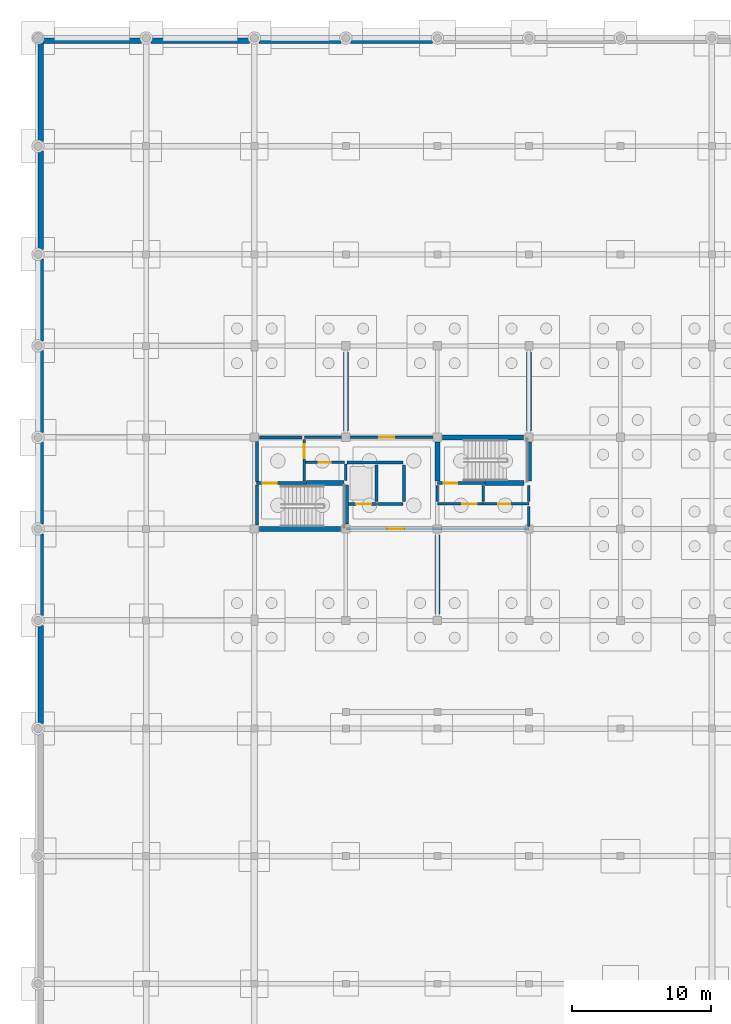
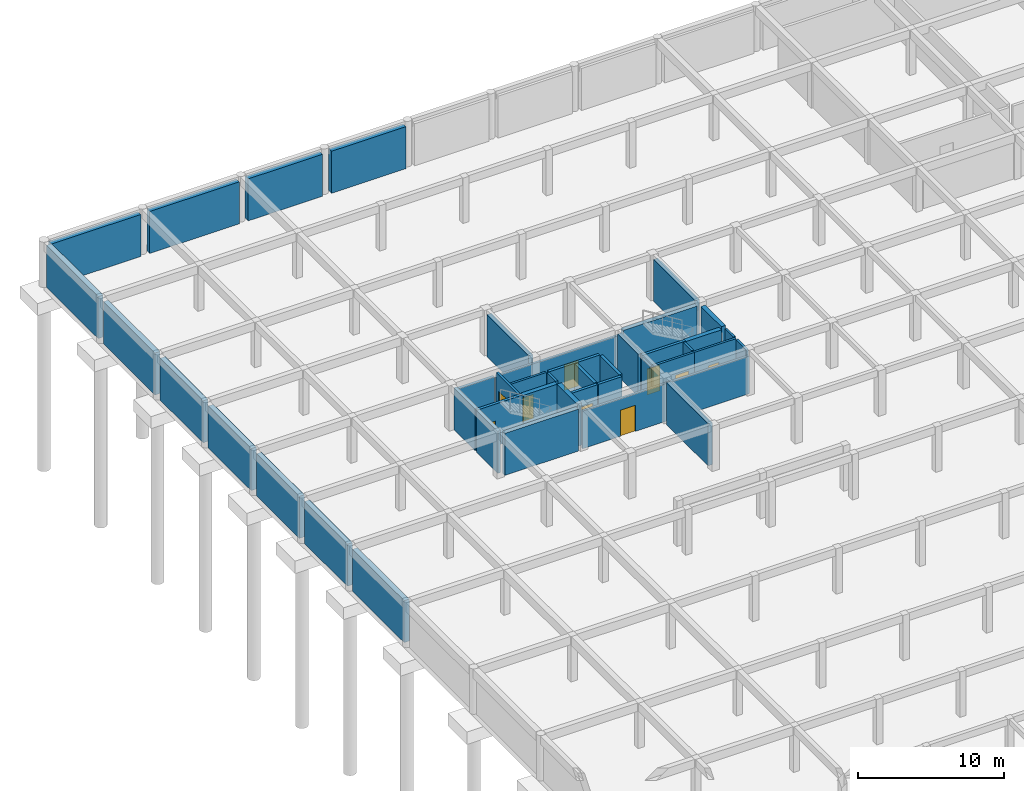
# One storey, part 26 of 37: 42 walls, 9 doors, 9 openings.
"""IFC4 building model written with IfcOpenShell, lengths in metres."""

from ifc_helpers import new_model, si_unit, direction, frame, frame_2d, origin, place, context, subcontext, project, spatial, rectangle, extrude, material, layer, layer_set, type_object, element, fill, save


model = new_model("IFC4")

# Units and contexts
model_context = context("Model", 3, precision=1e-05, world=origin(), true_north=direction((0.0, 1.0)))
body_context = subcontext(model_context, "Body", "Model", "MODEL_VIEW")
ifc_project = project(units=[si_unit("LENGTHUNIT", "METRE"), si_unit("AREAUNIT", "SQUARE_METRE"), si_unit("VOLUMEUNIT", "CUBIC_METRE"), si_unit("PLANEANGLEUNIT", "RADIAN"), si_unit("MASSUNIT", "GRAM", prefix="KILO")], contexts=[model_context])

# Site, building, storey
site_placement = place(None, origin())
site = spatial("IfcSite", under=ifc_project, at=site_placement, CompositionType="ELEMENT")
building_placement = place(site_placement, origin())
building = spatial("IfcBuilding", under=site, at=building_placement, Name="Kernevlak Ridge Housing Community", CompositionType="ELEMENT")
storey_placement = place(building_placement, frame((0.0, 0.0, -3.800048828125)))
storey = spatial("IfcBuildingStorey", under=building, at=storey_placement, Name="B1", CompositionType="ELEMENT", Elevation=-3.800048828125)

# Wall, opening, door
ifc_material_1 = material(Name="Concrete C35/45", Category="concrete")
ifc_layer_1 = layer(ifc_material_1, 0.22509765625, Name="Concrete C35/45")
ifc_layer_set_1 = layer_set([ifc_layer_1], Name="Concrete C35/45")
wall_type_1 = type_object("IfcWallType", Name="PW-01", PredefinedType="STANDARD", material=ifc_layer_set_1)
wall_1_placement = place(storey_placement, frame((15.75, 85.89990234375, 0.0), z_axis=(0.0, 0.0, 1.0), x_axis=(1.0, 0.0, 0.0)))
wall_1 = element("IfcWall", 1, at=wall_1_placement, inside=storey, type_object=wall_type_1, Name="Interior wall PW-01 WAL-INT-B1-0001", PredefinedType="STANDARD", context=body_context, shape_type="SweptSolid", body=[
    extrude(rectangle(XDim=3.60009765625, YDim=0.22509765625, at=frame_2d((1.800048828125, 0.0))), origin(), (0.0, 0.0, 1.0), 3.52001953125),
])
opening_1_placement = place(wall_1_placement, frame((0.449951171875, 0.0, 0.0)))
opening_1 = element("IfcOpeningElement", 2, at=opening_1_placement, cuts=wall_1, Name="Opening D001", PredefinedType="OPENING", context=body_context, shape_type="SweptSolid", body=[
    extrude(rectangle(XDim=1.0, YDim=2.10009765625, at=frame_2d((0.5, 1.050048828125))), frame((0.0, 0.12255859375, 0.0), z_axis=(0.0, -1.0, 0.0), x_axis=(1.0, 0.0, 0.0)), (0.0, 0.0, 1.0), 0.2451171875),
])
ifc_material_2 = material(Name="Fire-rated sheet steel leaf", Category="steel")
door_type_1 = type_object("IfcDoorType", Name="DT-05", OperationType="NOTDEFINED", PredefinedType="DOOR", material=ifc_material_2)
door_1_placement = place(opening_1_placement, origin())
door_1 = element("IfcDoor", 3, at=door_1_placement, inside=storey, type_object=door_type_1, Name="Block A Stair 1 fire door D001", OperationType="SINGLE_SWING_LEFT", OverallHeight=2.10009765625, OverallWidth=1.0, PredefinedType="DOOR", context=body_context, shape_type="SweptSolid", body=[
    extrude(rectangle(XDim=1.0, YDim=2.10009765625, at=frame_2d((0.5, 1.050048828125))), frame((0.0, 0.02490234375, 0.0), z_axis=(0.0, -1.0, 0.0), x_axis=(1.0, 0.0, 0.0)), (0.0, 0.0, 1.0), 0.050048828125),
])
fill(opening_1, door_1)

wall_2_placement = place(storey_placement, frame((22.385009765625, 84.39990234375, 0.0), z_axis=(0.0, 0.0, 1.0), x_axis=(1.0, 0.0, 0.0)))
wall_2 = element("IfcWall", 4, at=wall_2_placement, inside=storey, type_object=wall_type_1, Name="Interior wall PW-01 WAL-INT-B1-0005", PredefinedType="STANDARD", context=body_context, shape_type="SweptSolid", body=[
    extrude(rectangle(XDim=2.014892578125, YDim=0.22509765625, at=frame_2d((1.00732421875, 0.0))), origin(), (0.0, 0.0, 1.0), 3.52001953125),
])
opening_2_placement = place(wall_2_placement, frame((0.550048828125, 0.0, 0.0)))
opening_2 = element("IfcOpeningElement", 5, at=opening_2_placement, cuts=wall_2, Name="Opening LD01", PredefinedType="OPENING", context=body_context, shape_type="SweptSolid", body=[
    extrude(rectangle(XDim=1.10009765625, YDim=2.10009765625, at=frame_2d((0.550048828125, 1.050048828125))), frame((0.0, 0.12255859375, 0.0), z_axis=(0.0, -1.0, 0.0), x_axis=(1.0, 0.0, 0.0)), (0.0, 0.0, 1.0), 0.2451171875),
])
ifc_material_3 = material(Name="Stainless steel EN 1.4401", Category="steel")
door_type_2 = type_object("IfcDoorType", Name="DT-LD1", OperationType="DOUBLE_DOOR_SLIDING", PredefinedType="DOOR", material=ifc_material_3)
door_2_placement = place(opening_2_placement, origin())
door_2 = element("IfcDoor", 6, at=door_2_placement, inside=storey, type_object=door_type_2, Name="Lift LF-A1 landing door LD01", OperationType="DOUBLE_DOOR_SLIDING", OverallHeight=2.10009765625, OverallWidth=1.10009765625, PredefinedType="DOOR", context=body_context, shape_type="SweptSolid", body=[
    extrude(rectangle(XDim=1.10009765625, YDim=2.10009765625, at=frame_2d((0.550048828125, 1.050048828125))), frame((0.0, 0.02490234375, 0.0), z_axis=(0.0, -1.0, 0.0), x_axis=(1.0, 0.0, 0.0)), (0.0, 0.0, 1.0), 0.050048828125),
])
fill(opening_2, door_2)

# Walls
wall_3_placement = place(storey_placement, frame((24.47998046875, 84.39990234375, 0.0), z_axis=(0.0, 0.0, 1.0), x_axis=(1.0, 0.0, 0.0)))
element("IfcWall", 7, at=wall_3_placement, inside=storey, type_object=wall_type_1, Name="Interior wall PW-01 WAL-INT-B1-0006", PredefinedType="STANDARD", context=body_context, shape_type="SweptSolid", body=[
    extrude(rectangle(XDim=1.840087890625, YDim=0.22509765625, at=frame_2d((0.919921875, 0.0))), origin(), (0.0, 0.0, 1.0), 3.52001953125),
])
wall_4_placement = place(storey_placement, frame((22.297607421875, 87.39990234375, 0.0), z_axis=(0.0, 0.0, 1.0), x_axis=(1.0, 0.0, 0.0)))
element("IfcWall", 8, at=wall_4_placement, inside=storey, type_object=wall_type_1, Name="Interior wall PW-01 WAL-INT-B1-0007", PredefinedType="STANDARD", context=body_context, shape_type="SweptSolid", body=[
    extrude(rectangle(XDim=4.0224609375, YDim=0.22509765625, at=frame_2d((2.01123046875, 0.0))), origin(), (0.0, 0.0, 1.0), 3.52001953125),
])
for number, where, z_axis, x_axis, name in (
    (9, (24.39990234375, 84.580078125, 0.0), (0.0, 0.0, 1.0), (0.0, 1.0, 0.0), "Interior wall PW-01 WAL-INT-B1-0009"),
    (10, (26.39990234375, 84.580078125, 0.0), (0.0, 0.0, 1.0), (0.0, 1.0, 0.0), "Interior wall PW-01 WAL-INT-B1-0010"),
):
    element("IfcWall", number, at=place(storey_placement, frame(where, z_axis=z_axis, x_axis=x_axis)), inside=storey, type_object=wall_type_1, Name=name, PredefinedType="STANDARD", context=body_context, shape_type="SweptSolid", body=[
        extrude(rectangle(XDim=2.639892578125, YDim=0.22509765625, at=frame_2d((1.31982421875, 0.0))), origin(), (0.0, 0.0, 1.0), 3.52001953125),
    ])

# Wall, opening, door
wall_5_placement = place(storey_placement, frame((28.800048828125, 85.89990234375, 0.0), z_axis=(0.0, 0.0, 1.0), x_axis=(1.0, 0.0, 0.0)))
wall_5 = element("IfcWall", 11, at=wall_5_placement, inside=storey, type_object=wall_type_1, Name="Interior wall PW-01 WAL-INT-B1-0011", PredefinedType="STANDARD", context=body_context, shape_type="SweptSolid", body=[
    extrude(rectangle(XDim=3.449951171875, YDim=0.22509765625, at=frame_2d((1.72509765625, 0.0))), origin(), (0.0, 0.0, 1.0), 3.52001953125),
])
opening_3_placement = place(wall_5_placement, frame((0.449951171875, 0.0, 0.0)))
opening_3 = element("IfcOpeningElement", 12, at=opening_3_placement, cuts=wall_5, Name="Opening D004", PredefinedType="OPENING", context=body_context, shape_type="SweptSolid", body=[
    extrude(rectangle(XDim=1.0, YDim=2.159912109375, at=frame_2d((0.5, 1.080078125))), frame((0.0, 0.12255859375, 0.0), z_axis=(0.0, -1.0, 0.0), x_axis=(1.0, 0.0, 0.0)), (0.0, 0.0, 1.0), 0.2451171875),
])
door_type_3 = type_object("IfcDoorType", Name="DT-15", OperationType="NOTDEFINED", PredefinedType="DOOR", material=ifc_material_2)
door_3_placement = place(opening_3_placement, origin())
door_3 = element("IfcDoor", 13, at=door_3_placement, inside=storey, type_object=door_type_3, Name="Block A Stair 2 fire door D004", OperationType="SINGLE_SWING_RIGHT", OverallHeight=2.159912109375, OverallWidth=1.0, PredefinedType="DOOR", context=body_context, shape_type="SweptSolid", body=[
    extrude(rectangle(XDim=1.0, YDim=2.159912109375, at=frame_2d((0.5, 1.080078125))), frame((0.0, 0.02490234375, 0.0), z_axis=(0.0, -1.0, 0.0), x_axis=(1.0, 0.0, 0.0)), (0.0, 0.0, 1.0), 0.050048828125),
])
fill(opening_3, door_3)

# Walls
wall_6_placement = place(storey_placement, frame((15.97998046875, 89.199951171875, 0.0), z_axis=(0.0, 0.0, 1.0), x_axis=(1.0, 0.0, 0.0)))
element("IfcWall", 14, at=wall_6_placement, inside=storey, type_object=wall_type_1, Name="Interior wall PW-01 WAL-INT-B1-0020", PredefinedType="STANDARD", context=body_context, shape_type="SweptSolid", body=[
    extrude(rectangle(XDim=3.0400390625, YDim=0.22509765625, at=frame_2d((1.52001953125, 0.0))), origin(), (0.0, 0.0, 1.0), 3.150146484375),
])
wall_7_placement = place(storey_placement, frame((15.800048828125, 82.8798828125, 0.0), z_axis=(0.0, 0.0, 1.0), x_axis=(0.0, 1.0, 0.0)))
element("IfcWall", 15, at=wall_7_placement, inside=storey, type_object=wall_type_1, Name="Interior wall PW-01 WAL-INT-B1-0021", PredefinedType="STANDARD", context=body_context, shape_type="SweptSolid", body=[
    extrude(rectangle(XDim=2.897705078125, YDim=0.22509765625, at=frame_2d((1.44873046875, 0.0))), origin(), (0.0, 0.0, 1.0), 3.52001953125),
])
wall_8_placement = place(storey_placement, frame((15.800048828125, 86.0224609375, 0.0), z_axis=(0.0, 0.0, 1.0), x_axis=(0.0, 1.0, 0.0)))
element("IfcWall", 16, at=wall_8_placement, inside=storey, type_object=wall_type_1, Name="Interior wall PW-01 WAL-INT-B1-0021-S2", PredefinedType="STANDARD", context=body_context, shape_type="SweptSolid", body=[
    extrude(rectangle(XDim=2.8974609375, YDim=0.22509765625, at=frame_2d((1.44873046875, 0.0))), origin(), (0.0, 0.0, 1.0), 3.52001953125),
])

# Wall, opening, door
ifc_material_4 = material(Name="Concrete block masonry M10", Category="masonry")
ifc_layer_2 = layer(ifc_material_4, 0.175048828125, Name="Concrete block masonry M10")
ifc_layer_set_2 = layer_set([ifc_layer_2], Name="Concrete block masonry M10")
wall_type_2 = type_object("IfcWallType", Name="PW-02", PredefinedType="PARTITIONING", material=ifc_layer_set_2)
wall_9_placement = place(storey_placement, frame((19.199951171875, 86.050048828125, 0.0), z_axis=(0.0, 0.0, 1.0), x_axis=(0.0, 1.0, 0.0)))
wall_9 = element("IfcWall", 17, at=wall_9_placement, inside=storey, type_object=wall_type_2, Name="Interior wall PW-02 WAL-INT-B1-0002", PredefinedType="PARTITIONING", context=body_context, shape_type="SweptSolid", body=[
    extrude(rectangle(XDim=3.0, YDim=0.175048828125, at=frame_2d((1.5, 0.0))), origin(), (0.0, 0.0, 1.0), 3.52001953125),
])
opening_4_placement = place(wall_9_placement, frame((1.64990234375, 0.0, 0.0)))
opening_4 = element("IfcOpeningElement", 18, at=opening_4_placement, cuts=wall_9, Name="Opening D002", PredefinedType="OPENING", context=body_context, shape_type="SweptSolid", body=[
    extrude(rectangle(XDim=1.0, YDim=2.159912109375, at=frame_2d((0.5, 1.080078125))), frame((0.0, 0.097412109375, 0.0), z_axis=(0.0, -1.0, 0.0), x_axis=(1.0, 0.0, 0.0)), (0.0, 0.0, 1.0), 0.195068359375),
])
door_4_placement = place(opening_4_placement, origin())
door_4 = element("IfcDoor", 19, at=door_4_placement, inside=storey, type_object=door_type_3, Name="Block A Firefighting lobby 1 door D002", OperationType="SINGLE_SWING_RIGHT", OverallHeight=2.159912109375, OverallWidth=1.0, PredefinedType="DOOR", context=body_context, shape_type="SweptSolid", body=[
    extrude(rectangle(XDim=1.0, YDim=2.159912109375, at=frame_2d((0.5, 1.080078125))), frame((0.0, 0.02490234375, 0.0), z_axis=(0.0, -1.0, 0.0), x_axis=(1.0, 0.0, 0.0)), (0.0, 0.0, 1.0), 0.050048828125),
])
fill(opening_4, door_4)

wall_10_placement = place(storey_placement, frame((19.300048828125, 87.39990234375, 0.0), z_axis=(0.0, 0.0, 1.0), x_axis=(1.0, 0.0, 0.0)))
wall_10 = element("IfcWall", 20, at=wall_10_placement, inside=storey, type_object=wall_type_2, Name="Interior wall PW-02 WAL-INT-B1-0003", PredefinedType="PARTITIONING", context=body_context, shape_type="SweptSolid", body=[
    extrude(rectangle(XDim=2.800048828125, YDim=0.175048828125, at=frame_2d((1.39990234375, 0.0))), origin(), (0.0, 0.0, 1.0), 3.52001953125),
])
opening_5_placement = place(wall_10_placement, frame((0.949951171875, 0.0, 0.0)))
opening_5 = element("IfcOpeningElement", 21, at=opening_5_placement, cuts=wall_10, Name="Opening D003", PredefinedType="OPENING", context=body_context, shape_type="SweptSolid", body=[
    extrude(rectangle(XDim=0.85009765625, YDim=2.0, at=frame_2d((0.425048828125, 1.0))), frame((0.0, 0.097412109375, 0.0), z_axis=(0.0, -1.0, 0.0), x_axis=(1.0, 0.0, 0.0)), (0.0, 0.0, 1.0), 0.195068359375),
])
door_type_4 = type_object("IfcDoorType", Name="DT-07", OperationType="NOTDEFINED", PredefinedType="DOOR", material=ifc_material_2)
door_5_placement = place(opening_5_placement, origin())
door_5 = element("IfcDoor", 22, at=door_5_placement, inside=storey, type_object=door_type_4, Name="Block A Riser shaft door D003", OperationType="SINGLE_SWING_LEFT", OverallHeight=2.0, OverallWidth=0.85009765625, PredefinedType="DOOR", context=body_context, shape_type="SweptSolid", body=[
    extrude(rectangle(XDim=0.85009765625, YDim=2.0, at=frame_2d((0.425048828125, 1.0))), frame((0.0, 0.02490234375, 0.0), z_axis=(0.0, -1.0, 0.0), x_axis=(1.0, 0.0, 0.0)), (0.0, 0.0, 1.0), 0.050048828125),
])
fill(opening_5, door_5)

# Wall
wall_11_placement = place(storey_placement, frame((22.199951171875, 86.080078125, 0.0), z_axis=(0.0, 0.0, 1.0), x_axis=(0.0, 1.0, 0.0)))
element("IfcWall", 23, at=wall_11_placement, inside=storey, type_object=wall_type_2, Name="Interior wall PW-02 WAL-INT-B1-0004", PredefinedType="PARTITIONING", context=body_context, shape_type="SweptSolid", body=[
    extrude(rectangle(XDim=1.18994140625, YDim=0.175048828125, at=frame_2d((0.594970703125, 0.0))), origin(), (0.0, 0.0, 1.0), 3.52001953125),
])

# Wall, opening, door
wall_12_placement = place(storey_placement, frame((28.800048828125, 84.39990234375, 0.0), z_axis=(0.0, 0.0, 1.0), x_axis=(1.0, 0.0, 0.0)))
wall_12 = element("IfcWall", 24, at=wall_12_placement, inside=storey, type_object=wall_type_2, Name="Interior wall PW-02 WAL-INT-B1-0012", PredefinedType="PARTITIONING", context=body_context, shape_type="SweptSolid", body=[
    extrude(rectangle(XDim=3.300048828125, YDim=0.175048828125, at=frame_2d((1.64990234375, 0.0))), origin(), (0.0, 0.0, 1.0), 3.52001953125),
])
opening_6_placement = place(wall_12_placement, frame((1.800048828125, 0.0, 0.0)))
opening_6 = element("IfcOpeningElement", 25, at=opening_6_placement, cuts=wall_12, Name="Opening D005", PredefinedType="OPENING", context=body_context, shape_type="SweptSolid", body=[
    extrude(rectangle(XDim=1.0400390625, YDim=2.1201171875, at=frame_2d((0.52001953125, 1.06005859375))), frame((0.0, 0.097412109375, 0.0), z_axis=(0.0, -1.0, 0.0), x_axis=(1.0, 0.0, 0.0)), (0.0, 0.0, 1.0), 0.195068359375),
])
door_type_5 = type_object("IfcDoorType", Name="DT-16", OperationType="NOTDEFINED", PredefinedType="DOOR", material=ifc_material_2)
door_6_placement = place(opening_6_placement, origin())
door_6 = element("IfcDoor", 26, at=door_6_placement, inside=storey, type_object=door_type_5, Name="Block A Firefighting lobby 2 door D005", OperationType="SINGLE_SWING_LEFT", OverallHeight=2.1201171875, OverallWidth=1.0400390625, PredefinedType="DOOR", context=body_context, shape_type="SweptSolid", body=[
    extrude(rectangle(XDim=1.0400390625, YDim=2.1201171875, at=frame_2d((0.52001953125, 1.06005859375))), frame((0.0, 0.02490234375, 0.0), z_axis=(0.0, -1.0, 0.0), x_axis=(1.0, 0.0, 0.0)), (0.0, 0.0, 1.0), 0.050048828125),
])
fill(opening_6, door_6)

wall_13_placement = place(storey_placement, frame((32.10009765625, 84.39990234375, 0.0), z_axis=(0.0, 0.0, 1.0), x_axis=(1.0, 0.0, 0.0)))
wall_13 = element("IfcWall", 27, at=wall_13_placement, inside=storey, type_object=wall_type_2, Name="Interior wall PW-02 WAL-INT-B1-0013", PredefinedType="PARTITIONING", context=body_context, shape_type="SweptSolid", body=[
    extrude(rectangle(XDim=3.2998046875, YDim=0.175048828125, at=frame_2d((1.64990234375, 0.0))), origin(), (0.0, 0.0, 1.0), 3.52001953125),
])
opening_7_placement = place(wall_13_placement, frame((1.10009765625, 0.0, 0.0)))
opening_7 = element("IfcOpeningElement", 28, at=opening_7_placement, cuts=wall_13, Name="Opening D006", PredefinedType="OPENING", context=body_context, shape_type="SweptSolid", body=[
    extrude(rectangle(XDim=0.85009765625, YDim=2.0, at=frame_2d((0.425048828125, 1.0))), frame((0.0, 0.097412109375, 0.0), z_axis=(0.0, -1.0, 0.0), x_axis=(1.0, 0.0, 0.0)), (0.0, 0.0, 1.0), 0.195068359375),
])
door_7_placement = place(opening_7_placement, origin())
door_7 = element("IfcDoor", 29, at=door_7_placement, inside=storey, type_object=door_type_4, Name="Block A Cleaner store door D006", OperationType="SINGLE_SWING_RIGHT", OverallHeight=2.0, OverallWidth=0.85009765625, PredefinedType="DOOR", context=body_context, shape_type="SweptSolid", body=[
    extrude(rectangle(XDim=0.85009765625, YDim=2.0, at=frame_2d((0.425048828125, 1.0))), frame((0.0, 0.02490234375, 0.0), z_axis=(0.0, -1.0, 0.0), x_axis=(1.0, 0.0, 0.0)), (0.0, 0.0, 1.0), 0.050048828125),
])
fill(opening_7, door_7)

# Walls
wall_14_placement = place(storey_placement, frame((28.800048828125, 84.580078125, 0.0), z_axis=(0.0, 0.0, 1.0), x_axis=(0.0, 1.0, 0.0)))
element("IfcWall", 30, at=wall_14_placement, inside=storey, type_object=wall_type_2, Name="Interior wall PW-02 WAL-INT-B1-0014", PredefinedType="PARTITIONING", context=body_context, shape_type="SweptSolid", body=[
    extrude(rectangle(XDim=1.139892578125, YDim=0.175048828125, at=frame_2d((0.56982421875, 0.0))), origin(), (0.0, 0.0, 1.0), 3.35009765625),
])
for number, where, z_axis, x_axis, name in (
    (31, (32.10009765625, 84.580078125, 0.0), (0.0, 0.0, 1.0), (0.0, 1.0, 0.0), "Interior wall PW-02 WAL-INT-B1-0015"),
    (32, (35.39990234375, 84.580078125, 0.0), (0.0, 0.0, 1.0), (0.0, 1.0, 0.0), "Interior wall PW-02 WAL-INT-B1-0016"),
):
    element("IfcWall", number, at=place(storey_placement, frame(where, z_axis=z_axis, x_axis=x_axis)), inside=storey, type_object=wall_type_2, Name=name, PredefinedType="PARTITIONING", context=body_context, shape_type="SweptSolid", body=[
        extrude(rectangle(XDim=1.139892578125, YDim=0.175048828125, at=frame_2d((0.56982421875, 0.0))), origin(), (0.0, 0.0, 1.0), 3.52001953125),
    ])

# Wall, opening, door
wall_15_placement = place(storey_placement, frame((22.199951171875, 82.60009765625, 0.0), z_axis=(0.0, 0.0, 1.0), x_axis=(1.0, 0.0, 0.0)))
wall_15 = element("IfcWall", 33, at=wall_15_placement, inside=storey, type_object=wall_type_2, Name="Interior wall PW-02 WAL-INT-B1-0017", PredefinedType="PARTITIONING", context=body_context, shape_type="SweptSolid", body=[
    extrude(rectangle(XDim=13.199951171875, YDim=0.175048828125, at=frame_2d((6.60009765625, 0.0))), origin(), (0.0, 0.0, 1.0), 3.150146484375),
])
opening_8_placement = place(wall_15_placement, frame((3.0, 0.0, 0.0)))
opening_8 = element("IfcOpeningElement", 34, at=opening_8_placement, cuts=wall_15, Name="Opening D007", PredefinedType="OPENING", context=body_context, shape_type="SweptSolid", body=[
    extrude(rectangle(XDim=1.199951171875, YDim=2.179931640625, at=frame_2d((0.60009765625, 1.08984375))), frame((0.0, 0.097412109375, 0.0), z_axis=(0.0, -1.0, 0.0), x_axis=(1.0, 0.0, 0.0)), (0.0, 0.0, 1.0), 0.195068359375),
])
door_type_6 = type_object("IfcDoorType", Name="DT-17", OperationType="NOTDEFINED", PredefinedType="DOOR", material=ifc_material_2)
door_8_placement = place(opening_8_placement, origin())
door_8 = element("IfcDoor", 35, at=door_8_placement, inside=storey, type_object=door_type_6, Name="Block A B1 car park lobby door D007", OperationType="SINGLE_SWING_LEFT", OverallHeight=2.179931640625, OverallWidth=1.199951171875, PredefinedType="DOOR", context=body_context, shape_type="SweptSolid", body=[
    extrude(rectangle(XDim=1.199951171875, YDim=2.179931640625, at=frame_2d((0.60009765625, 1.08984375))), frame((0.0, 0.02490234375, 0.0), z_axis=(0.0, -1.0, 0.0), x_axis=(1.0, 0.0, 0.0)), (0.0, 0.0, 1.0), 0.050048828125),
])
fill(opening_8, door_8)

wall_16_placement = place(storey_placement, frame((19.199951171875, 89.199951171875, 0.0), z_axis=(0.0, 0.0, 1.0), x_axis=(1.0, 0.0, 0.0)))
wall_16 = element("IfcWall", 36, at=wall_16_placement, inside=storey, type_object=wall_type_2, Name="Interior wall PW-02 WAL-INT-B1-0018", PredefinedType="PARTITIONING", context=body_context, shape_type="SweptSolid", body=[
    extrude(rectangle(XDim=9.60009765625, YDim=0.175048828125, at=frame_2d((4.800048828125, 0.0))), origin(), (0.0, 0.0, 1.0), 3.150146484375),
])
opening_9_placement = place(wall_16_placement, frame((5.39990234375, 0.0, 0.0)))
opening_9 = element("IfcOpeningElement", 37, at=opening_9_placement, cuts=wall_16, Name="Opening D008", PredefinedType="OPENING", context=body_context, shape_type="SweptSolid", body=[
    extrude(rectangle(XDim=1.10009765625, YDim=2.14990234375, at=frame_2d((0.550048828125, 1.074951171875))), frame((0.0, 0.097412109375, 0.0), z_axis=(0.0, -1.0, 0.0), x_axis=(1.0, 0.0, 0.0)), (0.0, 0.0, 1.0), 0.195068359375),
])
door_type_7 = type_object("IfcDoorType", Name="DT-06", OperationType="NOTDEFINED", PredefinedType="DOOR", material=ifc_material_2)
door_9_placement = place(opening_9_placement, origin())
door_9 = element("IfcDoor", 38, at=door_9_placement, inside=storey, type_object=door_type_7, Name="Block A B1 north lobby door D008", OperationType="SINGLE_SWING_RIGHT", OverallHeight=2.14990234375, OverallWidth=1.10009765625, PredefinedType="DOOR", context=body_context, shape_type="SweptSolid", body=[
    extrude(rectangle(XDim=1.10009765625, YDim=2.14990234375, at=frame_2d((0.550048828125, 1.074951171875))), frame((0.0, 0.02490234375, 0.0), z_axis=(0.0, -1.0, 0.0), x_axis=(1.0, 0.0, 0.0)), (0.0, 0.0, 1.0), 0.050048828125),
])
fill(opening_9, door_9)

# Walls
wall_17_placement = place(storey_placement, frame((35.39990234375, 82.780029296875, 0.0), z_axis=(0.0, 0.0, 1.0), x_axis=(0.0, 1.0, 0.0)))
element("IfcWall", 39, at=wall_17_placement, inside=storey, type_object=wall_type_2, Name="Interior wall PW-02 WAL-INT-B1-0019", PredefinedType="PARTITIONING", context=body_context, shape_type="SweptSolid", body=[
    extrude(rectangle(XDim=1.43994140625, YDim=0.175048828125, at=frame_2d((0.719970703125, 0.0))), origin(), (0.0, 0.0, 1.0), 3.52001953125),
])
ifc_material_5 = material(Name="Concrete C40/50", Category="concrete")
ifc_layer_3 = layer(ifc_material_5, 0.39990234375, Name="Concrete C40/50")
ifc_layer_set_3 = layer_set([ifc_layer_3], Name="Concrete C40/50")
wall_type_3 = type_object("IfcWallType", Name="RW-01", PredefinedType="USERDEFINED", material=ifc_layer_set_3)
wall_18_placement = place(storey_placement, frame((0.35009765625, 117.800048828125, 0.0), z_axis=(0.0, 0.0, 1.0), x_axis=(1.0, 0.0, 0.0)))
element("IfcWall", 40, at=wall_18_placement, inside=storey, type_object=wall_type_3, Name="Basement retaining wall RW-01 23", ObjectType="RETAININGWALL", PredefinedType="USERDEFINED", context=body_context, shape_type="SweptSolid", body=[
    extrude(rectangle(XDim=7.099853515625, YDim=0.39990234375, at=frame_2d((3.5498046875, 0.0))), origin(), (0.0, 0.0, 1.0), 3.52001953125),
])
wall_19_placement = place(storey_placement, frame((8.14990234375, 117.800048828125, 0.0), z_axis=(0.0, 0.0, 1.0), x_axis=(1.0, 0.0, 0.0)))
element("IfcWall", 41, at=wall_19_placement, inside=storey, type_object=wall_type_3, Name="Basement retaining wall RW-01 24", ObjectType="RETAININGWALL", PredefinedType="USERDEFINED", context=body_context, shape_type="SweptSolid", body=[
    extrude(rectangle(XDim=7.10009765625, YDim=0.39990234375, at=frame_2d((3.550048828125, 0.0))), origin(), (0.0, 0.0, 1.0), 3.52001953125),
])
wall_20_placement = place(storey_placement, frame((15.949951171875, 117.800048828125, 0.0), z_axis=(0.0, 0.0, 1.0), x_axis=(1.0, 0.0, 0.0)))
element("IfcWall", 42, at=wall_20_placement, inside=storey, type_object=wall_type_3, Name="Basement retaining wall RW-01 25", ObjectType="RETAININGWALL", PredefinedType="USERDEFINED", context=body_context, shape_type="SweptSolid", body=[
    extrude(rectangle(XDim=5.900146484375, YDim=0.39990234375, at=frame_2d((2.9501953125, 0.0))), origin(), (0.0, 0.0, 1.0), 3.52001953125),
])
wall_21_placement = place(storey_placement, frame((22.550048828125, 117.800048828125, 0.0), z_axis=(0.0, 0.0, 1.0), x_axis=(1.0, 0.0, 0.0)))
element("IfcWall", 43, at=wall_21_placement, inside=storey, type_object=wall_type_3, Name="Basement retaining wall RW-01 26", ObjectType="RETAININGWALL", PredefinedType="USERDEFINED", context=body_context, shape_type="SweptSolid", body=[
    extrude(rectangle(XDim=5.89990234375, YDim=0.39990234375, at=frame_2d((2.949951171875, 0.0))), origin(), (0.0, 0.0, 1.0), 3.52001953125),
])
wall_22_placement = place(storey_placement, frame((0.199951171875, 68.550048828125, 0.0), z_axis=(0.0, 0.0, 1.0), x_axis=(0.0, 1.0, 0.0)))
element("IfcWall", 44, at=wall_22_placement, inside=storey, type_object=wall_type_3, Name="Basement retaining wall RW-01 54", ObjectType="RETAININGWALL", PredefinedType="USERDEFINED", context=body_context, shape_type="SweptSolid", body=[
    extrude(rectangle(XDim=7.099853515625, YDim=0.39990234375, at=frame_2d((3.5498046875, 0.0))), origin(), (0.0, 0.0, 1.0), 3.52001953125),
])
wall_23_placement = place(storey_placement, frame((0.199951171875, 76.35009765625, 0.0), z_axis=(0.0, 0.0, 1.0), x_axis=(0.0, 1.0, 0.0)))
element("IfcWall", 45, at=wall_23_placement, inside=storey, type_object=wall_type_3, Name="Basement retaining wall RW-01 55", ObjectType="RETAININGWALL", PredefinedType="USERDEFINED", context=body_context, shape_type="SweptSolid", body=[
    extrude(rectangle(XDim=5.89990234375, YDim=0.39990234375, at=frame_2d((2.949951171875, 0.0))), origin(), (0.0, 0.0, 1.0), 3.52001953125),
])
wall_24_placement = place(storey_placement, frame((0.199951171875, 82.949951171875, 0.0), z_axis=(0.0, 0.0, 1.0), x_axis=(0.0, 1.0, 0.0)))
element("IfcWall", 46, at=wall_24_placement, inside=storey, type_object=wall_type_3, Name="Basement retaining wall RW-01 56", ObjectType="RETAININGWALL", PredefinedType="USERDEFINED", context=body_context, shape_type="SweptSolid", body=[
    extrude(rectangle(XDim=5.900146484375, YDim=0.39990234375, at=frame_2d((2.9501953125, 0.0))), origin(), (0.0, 0.0, 1.0), 3.52001953125),
])
wall_25_placement = place(storey_placement, frame((0.199951171875, 89.550048828125, 0.0), z_axis=(0.0, 0.0, 1.0), x_axis=(0.0, 1.0, 0.0)))
element("IfcWall", 47, at=wall_25_placement, inside=storey, type_object=wall_type_3, Name="Basement retaining wall RW-01 57", ObjectType="RETAININGWALL", PredefinedType="USERDEFINED", context=body_context, shape_type="SweptSolid", body=[
    extrude(rectangle(XDim=5.89990234375, YDim=0.39990234375, at=frame_2d((2.949951171875, 0.0))), origin(), (0.0, 0.0, 1.0), 3.52001953125),
])
wall_26_placement = place(storey_placement, frame((0.199951171875, 96.14990234375, 0.0), z_axis=(0.0, 0.0, 1.0), x_axis=(0.0, 1.0, 0.0)))
element("IfcWall", 48, at=wall_26_placement, inside=storey, type_object=wall_type_3, Name="Basement retaining wall RW-01 58", ObjectType="RETAININGWALL", PredefinedType="USERDEFINED", context=body_context, shape_type="SweptSolid", body=[
    extrude(rectangle(XDim=5.900146484375, YDim=0.39990234375, at=frame_2d((2.9501953125, 0.0))), origin(), (0.0, 0.0, 1.0), 3.52001953125),
])
wall_27_placement = place(storey_placement, frame((0.199951171875, 102.75, 0.0), z_axis=(0.0, 0.0, 1.0), x_axis=(0.0, 1.0, 0.0)))
element("IfcWall", 49, at=wall_27_placement, inside=storey, type_object=wall_type_3, Name="Basement retaining wall RW-01 59", ObjectType="RETAININGWALL", PredefinedType="USERDEFINED", context=body_context, shape_type="SweptSolid", body=[
    extrude(rectangle(XDim=7.10009765625, YDim=0.39990234375, at=frame_2d((3.550048828125, 0.0))), origin(), (0.0, 0.0, 1.0), 3.52001953125),
])
wall_28_placement = place(storey_placement, frame((0.199951171875, 110.550048828125, 0.0), z_axis=(0.0, 0.0, 1.0), x_axis=(0.0, 1.0, 0.0)))
element("IfcWall", 50, at=wall_28_placement, inside=storey, type_object=wall_type_3, Name="Basement retaining wall RW-01 60", ObjectType="RETAININGWALL", PredefinedType="USERDEFINED", context=body_context, shape_type="SweptSolid", body=[
    extrude(rectangle(XDim=7.099853515625, YDim=0.39990234375, at=frame_2d((3.5498046875, 0.0))), origin(), (0.0, 0.0, 1.0), 3.52001953125),
])
ifc_layer_4 = layer(ifc_material_5, 0.35009765625, Name="Concrete C40/50")
ifc_layer_set_4 = layer_set([ifc_layer_4], Name="Concrete C40/50")
wall_type_4 = type_object("IfcWallType", Name="SW-01", PredefinedType="SHEAR", material=ifc_layer_set_4)
wall_29_placement = place(storey_placement, frame((15.97998046875, 82.60009765625, 0.0), z_axis=(0.0, 0.0, 1.0), x_axis=(1.0, 0.0, 0.0)))
element("IfcWall", 51, at=wall_29_placement, inside=storey, type_object=wall_type_4, Name="Shear wall SW-01 Block A B1 1", PredefinedType="SHEAR", context=body_context, shape_type="SweptSolid", body=[
    extrude(rectangle(XDim=5.840087890625, YDim=0.35009765625, at=frame_2d((2.919921875, 0.0))), origin(), (0.0, 0.0, 1.0), 3.52001953125),
])
wall_30_placement = place(storey_placement, frame((19.35009765625, 85.89990234375, 0.0), z_axis=(0.0, 0.0, 1.0), x_axis=(1.0, 0.0, 0.0)))
element("IfcWall", 52, at=wall_30_placement, inside=storey, type_object=wall_type_4, Name="Shear wall SW-01 Block A B1 2", PredefinedType="SHEAR", context=body_context, shape_type="SweptSolid", body=[
    extrude(rectangle(XDim=2.699951171875, YDim=0.35009765625, at=frame_2d((1.35009765625, 0.0))), origin(), (0.0, 0.0, 1.0), 3.52001953125),
])
wall_31_placement = place(storey_placement, frame((22.199951171875, 82.949951171875, 0.0), z_axis=(0.0, 0.0, 1.0), x_axis=(0.0, 1.0, 0.0)))
element("IfcWall", 53, at=wall_31_placement, inside=storey, type_object=wall_type_4, Name="Shear wall SW-01 Block A B1 3", PredefinedType="SHEAR", context=body_context, shape_type="SweptSolid", body=[
    extrude(rectangle(XDim=2.800048828125, YDim=0.35009765625, at=frame_2d((1.39990234375, 0.0))), origin(), (0.0, 0.0, 1.0), 3.52001953125),
])
wall_32_placement = place(storey_placement, frame((29.179931640625, 89.199951171875, 0.0), z_axis=(0.0, 0.0, 1.0), x_axis=(1.0, 0.0, 0.0)))
element("IfcWall", 54, at=wall_32_placement, inside=storey, type_object=wall_type_4, Name="Shear wall SW-01 Block A B1 4", PredefinedType="SHEAR", context=body_context, shape_type="SweptSolid", body=[
    extrude(rectangle(XDim=5.840087890625, YDim=0.35009765625, at=frame_2d((2.919921875, 0.0))), origin(), (0.0, 0.0, 1.0), 3.52001953125),
])
for number, where, z_axis, x_axis, name in (
    (55, (32.25, 85.89990234375, 0.0), (0.0, 0.0, 1.0), (1.0, 0.0, 0.0), "Shear wall SW-01 Block A B1 5"),
    (56, (28.800048828125, 86.050048828125, 0.0), (0.0, 0.0, 1.0), (0.0, 1.0, 0.0), "Shear wall SW-01 Block A B1 6"),
    (57, (35.39990234375, 86.050048828125, 0.0), (0.0, 0.0, 1.0), (0.0, 1.0, 0.0), "Shear wall SW-01 Block A B1 7"),
):
    element("IfcWall", number, at=place(storey_placement, frame(where, z_axis=z_axis, x_axis=x_axis)), inside=storey, type_object=wall_type_4, Name=name, PredefinedType="SHEAR", context=body_context, shape_type="SweptSolid", body=[
        extrude(rectangle(XDim=2.800048828125, YDim=0.35009765625, at=frame_2d((1.39990234375, 0.0))), origin(), (0.0, 0.0, 1.0), 3.52001953125),
    ])
wall_33_placement = place(storey_placement, frame((28.800048828125, 76.449951171875, 0.0), z_axis=(0.0, 0.0, 1.0), x_axis=(0.0, 1.0, 0.0)))
element("IfcWall", 58, at=wall_33_placement, inside=storey, type_object=wall_type_4, Name="Shear wall SW-01 Block A B1 8", PredefinedType="SHEAR", context=body_context, shape_type="SweptSolid", body=[
    extrude(rectangle(XDim=5.699951171875, YDim=0.35009765625, at=frame_2d((2.85009765625, 0.0))), origin(), (0.0, 0.0, 1.0), 3.52001953125),
])
for number, where, z_axis, x_axis, name in (
    (59, (22.199951171875, 89.64990234375, 0.0), (0.0, 0.0, 1.0), (0.0, 1.0, 0.0), "Shear wall SW-01 Block A B1 9"),
    (60, (35.39990234375, 89.64990234375, 0.0), (0.0, 0.0, 1.0), (0.0, 1.0, 0.0), "Shear wall SW-01 Block A B1 10"),
):
    element("IfcWall", number, at=place(storey_placement, frame(where, z_axis=z_axis, x_axis=x_axis)), inside=storey, type_object=wall_type_4, Name=name, PredefinedType="SHEAR", context=body_context, shape_type="SweptSolid", body=[
        extrude(rectangle(XDim=5.7001953125, YDim=0.35009765625, at=frame_2d((2.85009765625, 0.0))), origin(), (0.0, 0.0, 1.0), 3.52001953125),
    ])

save(model, "model.ifc")
